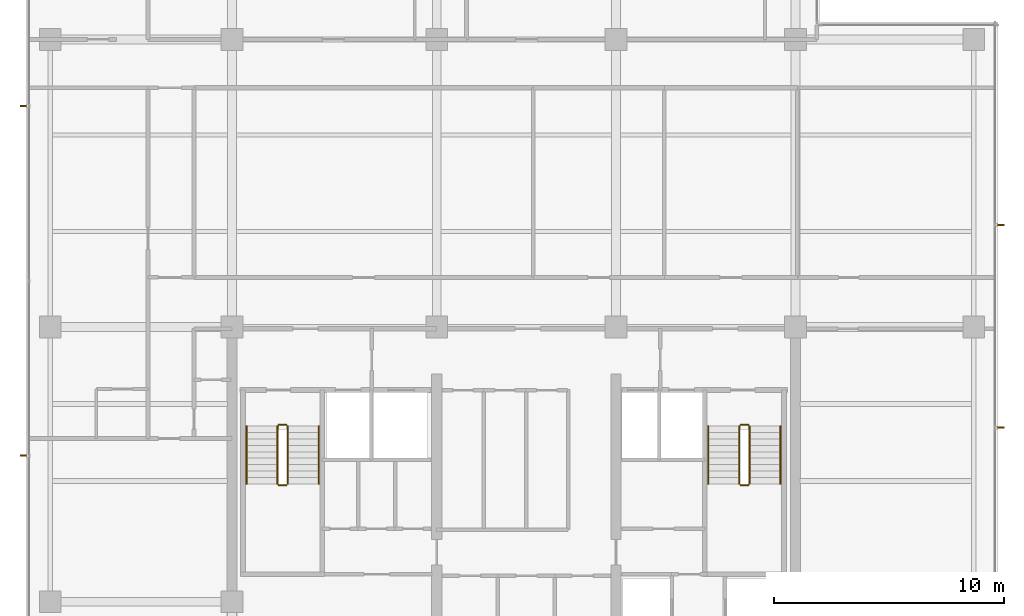
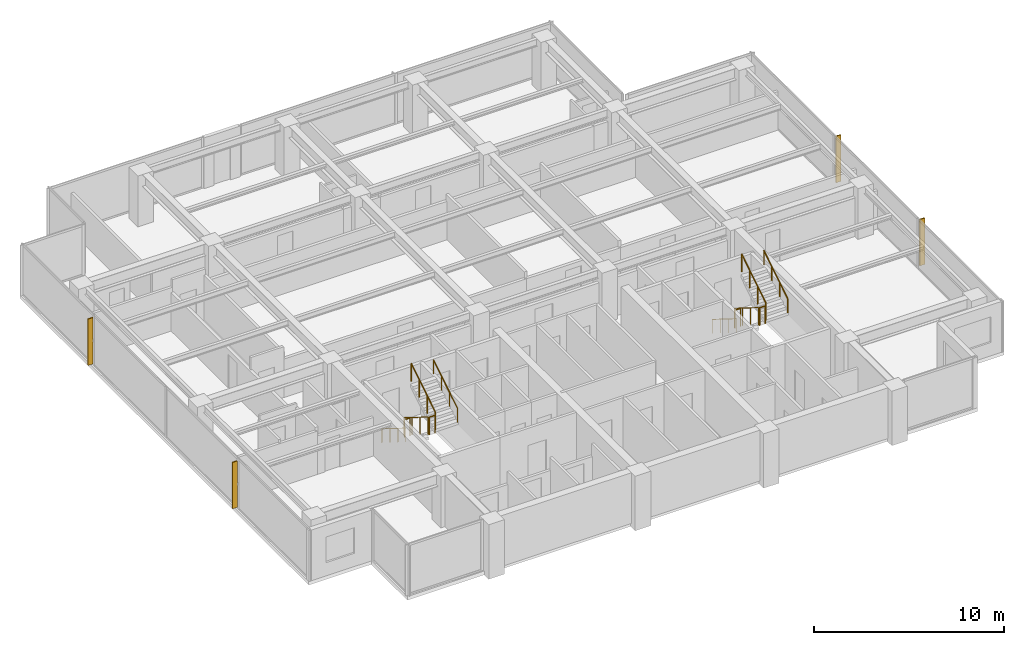
# One storey, part 13 of 14: 12 railings, 4 shading devices.
"""IFC4 building model written with IfcOpenShell, lengths in metres."""

from ifc_helpers import new_model, si_unit, direction, frame, origin, origin_2d, place, context, subcontext, project, spatial, polyline, circle, outline, extrude, material, layer, layer_set, type_object, element, save


model = new_model("IFC4")

# Units and contexts
model_context = context("Model", 3, precision=1e-05, world=origin(), true_north=direction((0.0, 1.0)))
body_context = subcontext(model_context, "Body", "Model", "MODEL_VIEW")
ifc_project = project(units=[si_unit("LENGTHUNIT", "METRE"), si_unit("AREAUNIT", "SQUARE_METRE"), si_unit("VOLUMEUNIT", "CUBIC_METRE"), si_unit("PLANEANGLEUNIT", "RADIAN"), si_unit("MASSUNIT", "GRAM", prefix="KILO")], contexts=[model_context])

# Site, building, storey
site_placement = place(None, origin())
site = spatial("IfcSite", under=ifc_project, at=site_placement, CompositionType="ELEMENT")
building_placement = place(site_placement, origin())
building = spatial("IfcBuilding", under=site, at=building_placement, Name="Qalmaran Belvedere Hotel", CompositionType="ELEMENT")
storey_placement = place(building_placement, frame((0.0, 0.0, 224.89990234375)))
storey = spatial("IfcBuildingStorey", under=building, at=storey_placement, Name="L57", CompositionType="ELEMENT", Elevation=224.89990234375)

# Shading devices
ifc_material_1 = material(Name="Anodised Bronze Aluminium", Category="aluminium")
ifc_layer = layer(ifc_material_1, 0.06494140625, Name="Anodised Bronze Aluminium")
ifc_layer_set = layer_set([ifc_layer], Name="Anodised Bronze Aluminium")
shading_device_type = type_object("IfcShadingDeviceType", Name="FIN-BRNZ-300", PredefinedType="USERDEFINED", material=ifc_layer_set)
shading_device_1_placement = place(storey_placement, frame((0.0, 0.0, 0.16015625)))
element("IfcShadingDevice", 1, at=shading_device_1_placement, inside=storey, type_object=shading_device_type, Name="L57 Bronze Fin 1", ObjectType="FIN", PredefinedType="USERDEFINED", context=body_context, shape_type="SweptSolid", body=[
    extrude(outline(polyline([(53.5673828125, 16.084228515625), (53.867431640625, 16.084228515625), (53.867431640625, 16.149169921875), (53.5673828125, 16.149169921875), (53.5673828125, 16.084228515625)])), origin(), (0.0, 0.0, 1.0), 2.97998046875),
])
shading_device_2_placement = place(storey_placement, frame((0.0, 0.0, 0.16015625)))
element("IfcShadingDevice", 2, at=shading_device_2_placement, inside=storey, type_object=shading_device_type, Name="L57 Bronze Fin 2", ObjectType="FIN", PredefinedType="USERDEFINED", context=body_context, shape_type="SweptSolid", body=[
    extrude(outline(polyline([(53.5673828125, 24.90087890625), (53.867431640625, 24.90087890625), (53.867431640625, 24.9658203125), (53.5673828125, 24.9658203125), (53.5673828125, 24.90087890625)])), origin(), (0.0, 0.0, 1.0), 2.97998046875),
])
shading_device_3_placement = place(storey_placement, frame((0.0, 0.0, 0.16015625)))
element("IfcShadingDevice", 3, at=shading_device_3_placement, inside=storey, type_object=shading_device_type, Name="L57 Bronze Fin 1", ObjectType="FIN", PredefinedType="USERDEFINED", context=body_context, shape_type="SweptSolid", body=[
    extrude(outline(polyline([(11.382568359375, 30.132568359375), (11.08251953125, 30.132568359375), (11.08251953125, 30.0673828125), (11.382568359375, 30.0673828125), (11.382568359375, 30.132568359375)])), origin(), (0.0, 0.0, 1.0), 2.97998046875),
])
shading_device_4_placement = place(storey_placement, frame((0.0, 0.0, 0.16015625)))
element("IfcShadingDevice", 4, at=shading_device_4_placement, inside=storey, type_object=shading_device_type, Name="L57 Bronze Fin 3", ObjectType="FIN", PredefinedType="USERDEFINED", context=body_context, shape_type="SweptSolid", body=[
    extrude(outline(polyline([(11.382568359375, 14.9326171875), (11.08251953125, 14.9326171875), (11.08251953125, 14.867431640625), (11.382568359375, 14.867431640625), (11.382568359375, 14.9326171875)])), origin(), (0.0, 0.0, 1.0), 2.97998046875),
])

# Railings
ifc_material_2 = material(Name="Stainless Steel 1.4401", Category="steel")
railing_type_1 = type_object("IfcRailingType", Name="RLG-STAIR-GUARD-1150", PredefinedType="GUARDRAIL", material=ifc_material_2)
railing_1_placement = place(storey_placement, frame((22.280029296875, 16.18994140625, 0.175048828125)))
element("IfcRailing", 5, at=railing_1_placement, inside=storey, type_object=railing_type_1, Name="L57 ST-1 stair guard 1", PredefinedType="GUARDRAIL", context=body_context, shape_type="SweptSolid", body=[
    extrude(circle(Radius=0.02392578125, at=origin_2d()), frame((0.0, 0.0, 1.1259765625), z_axis=(0.0, -0.848007534815, 0.529984170421), x_axis=(1.0, 0.0, 0.0)), (0.0, 0.0, 1.0), 2.9716796875),
    extrude(circle(Radius=0.02099609375, at=origin_2d()), origin(), (0.0, 0.0, 1.0), 1.101806640625),
    extrude(circle(Radius=0.02099609375, at=origin_2d()), frame((0.0, -0.840087890625, 0.52490234375)), (0.0, 0.0, 1.0), 1.101806640625),
    extrude(circle(Radius=0.02099609375, at=origin_2d()), frame((0.0, -1.679931640625, 1.050048828125)), (0.0, 0.0, 1.0), 1.101806640625),
    extrude(circle(Radius=0.02099609375, at=origin_2d()), frame((0.0, -2.52001953125, 1.574951171875)), (0.0, 0.0, 1.0), 1.101806640625),
])
railing_2_placement = place(storey_placement, frame((22.330078125, 13.6201171875, 1.75)))
element("IfcRailing", 6, at=railing_2_placement, inside=storey, type_object=railing_type_1, Name="L57 ST-1 stair guard 2", PredefinedType="GUARDRAIL", context=body_context, shape_type="SweptSolid", body=[
    extrude(circle(Radius=0.02392578125, at=origin_2d()), frame((0.0, 0.0, 1.1259765625), z_axis=(1.0, 0.0, 0.0), x_axis=(0.0, 1.0, 0.0)), (0.0, 0.0, 1.0), 0.33984375),
    extrude(circle(Radius=0.02099609375, at=origin_2d()), origin(), (0.0, 0.0, 1.0), 1.101806640625),
    extrude(circle(Radius=0.02099609375, at=origin_2d()), frame((0.33984375, 0.0, 0.0)), (0.0, 0.0, 1.0), 1.101806640625),
])
railing_3_placement = place(storey_placement, frame((22.719970703125, 13.669921875, 1.925048828125)))
element("IfcRailing", 7, at=railing_3_placement, inside=storey, type_object=railing_type_1, Name="L57 ST-1 stair guard 3", PredefinedType="GUARDRAIL", context=body_context, shape_type="SweptSolid", body=[
    extrude(circle(Radius=0.02392578125, at=origin_2d()), frame((0.0, 0.0, 1.1259765625), z_axis=(0.0, 0.848007534815, 0.529984170421), x_axis=(-1.0, 0.0, 0.0)), (0.0, 0.0, 1.0), 2.9716796875),
    extrude(circle(Radius=0.02099609375, at=origin_2d()), origin(), (0.0, 0.0, 1.0), 1.101806640625),
    extrude(circle(Radius=0.02099609375, at=origin_2d()), frame((0.0, 0.840087890625, 0.52490234375)), (0.0, 0.0, 1.0), 1.101806640625),
    extrude(circle(Radius=0.02099609375, at=origin_2d()), frame((0.0, 1.679931640625, 1.050048828125)), (0.0, 0.0, 1.0), 1.101806640625),
    extrude(circle(Radius=0.02099609375, at=origin_2d()), frame((0.0, 2.52001953125, 1.574951171875)), (0.0, 0.0, 1.0), 1.101806640625),
])
railing_4_placement = place(storey_placement, frame((22.330078125, 16.239990234375, 0.0)))
element("IfcRailing", 8, at=railing_4_placement, inside=storey, type_object=railing_type_1, Name="L57 ST-1 stair guard 4", PredefinedType="GUARDRAIL", context=body_context, shape_type="SweptSolid", body=[
    extrude(circle(Radius=0.02392578125, at=origin_2d()), frame((0.0, 0.0, 1.1259765625), z_axis=(1.0, 0.0, 0.0), x_axis=(0.0, 1.0, 0.0)), (0.0, 0.0, 1.0), 0.33984375),
    extrude(circle(Radius=0.02099609375, at=origin_2d()), origin(), (0.0, 0.0, 1.0), 1.101806640625),
    extrude(circle(Radius=0.02099609375, at=origin_2d()), frame((0.33984375, 0.0, 0.0)), (0.0, 0.0, 1.0), 1.101806640625),
])
railing_5_placement = place(storey_placement, frame((42.360107421875, 16.18994140625, 0.175048828125)))
element("IfcRailing", 9, at=railing_5_placement, inside=storey, type_object=railing_type_1, Name="L57 ST-2 stair guard 1", PredefinedType="GUARDRAIL", context=body_context, shape_type="SweptSolid", body=[
    extrude(circle(Radius=0.02392578125, at=origin_2d()), frame((0.0, 0.0, 1.1259765625), z_axis=(0.0, -0.848007534815, 0.529984170421), x_axis=(1.0, 0.0, 0.0)), (0.0, 0.0, 1.0), 2.9716796875),
    extrude(circle(Radius=0.02099609375, at=origin_2d()), origin(), (0.0, 0.0, 1.0), 1.101806640625),
    extrude(circle(Radius=0.02099609375, at=origin_2d()), frame((0.0, -0.840087890625, 0.52490234375)), (0.0, 0.0, 1.0), 1.101806640625),
    extrude(circle(Radius=0.02099609375, at=origin_2d()), frame((0.0, -1.679931640625, 1.050048828125)), (0.0, 0.0, 1.0), 1.101806640625),
    extrude(circle(Radius=0.02099609375, at=origin_2d()), frame((0.0, -2.52001953125, 1.574951171875)), (0.0, 0.0, 1.0), 1.101806640625),
])
railing_6_placement = place(storey_placement, frame((42.409912109375, 13.6201171875, 1.75)))
element("IfcRailing", 10, at=railing_6_placement, inside=storey, type_object=railing_type_1, Name="L57 ST-2 stair guard 2", PredefinedType="GUARDRAIL", context=body_context, shape_type="SweptSolid", body=[
    extrude(circle(Radius=0.02392578125, at=origin_2d()), frame((0.0, 0.0, 1.1259765625), z_axis=(1.0, 0.0, 0.0), x_axis=(0.0, 1.0, 0.0)), (0.0, 0.0, 1.0), 0.340087890625),
    extrude(circle(Radius=0.02099609375, at=origin_2d()), origin(), (0.0, 0.0, 1.0), 1.101806640625),
    extrude(circle(Radius=0.02099609375, at=origin_2d()), frame((0.340087890625, 0.0, 0.0)), (0.0, 0.0, 1.0), 1.101806640625),
])
railing_7_placement = place(storey_placement, frame((42.800048828125, 13.669921875, 1.925048828125)))
element("IfcRailing", 11, at=railing_7_placement, inside=storey, type_object=railing_type_1, Name="L57 ST-2 stair guard 3", PredefinedType="GUARDRAIL", context=body_context, shape_type="SweptSolid", body=[
    extrude(circle(Radius=0.02392578125, at=origin_2d()), frame((0.0, 0.0, 1.1259765625), z_axis=(0.0, 0.848007534815, 0.529984170421), x_axis=(-1.0, 0.0, 0.0)), (0.0, 0.0, 1.0), 2.9716796875),
    extrude(circle(Radius=0.02099609375, at=origin_2d()), origin(), (0.0, 0.0, 1.0), 1.101806640625),
    extrude(circle(Radius=0.02099609375, at=origin_2d()), frame((0.0, 0.840087890625, 0.52490234375)), (0.0, 0.0, 1.0), 1.101806640625),
    extrude(circle(Radius=0.02099609375, at=origin_2d()), frame((0.0, 1.679931640625, 1.050048828125)), (0.0, 0.0, 1.0), 1.101806640625),
    extrude(circle(Radius=0.02099609375, at=origin_2d()), frame((0.0, 2.52001953125, 1.574951171875)), (0.0, 0.0, 1.0), 1.101806640625),
])
railing_8_placement = place(storey_placement, frame((42.409912109375, 16.239990234375, 0.0)))
element("IfcRailing", 12, at=railing_8_placement, inside=storey, type_object=railing_type_1, Name="L57 ST-2 stair guard 4", PredefinedType="GUARDRAIL", context=body_context, shape_type="SweptSolid", body=[
    extrude(circle(Radius=0.02392578125, at=origin_2d()), frame((0.0, 0.0, 1.1259765625), z_axis=(1.0, 0.0, 0.0), x_axis=(0.0, 1.0, 0.0)), (0.0, 0.0, 1.0), 0.340087890625),
    extrude(circle(Radius=0.02099609375, at=origin_2d()), origin(), (0.0, 0.0, 1.0), 1.101806640625),
    extrude(circle(Radius=0.02099609375, at=origin_2d()), frame((0.340087890625, 0.0, 0.0)), (0.0, 0.0, 1.0), 1.101806640625),
])
railing_type_2 = type_object("IfcRailingType", Name="RLG-STAIR-HAND-910", PredefinedType="HANDRAIL", material=ifc_material_2)
railing_9_placement = place(storey_placement, frame((20.929931640625, 16.18994140625, 0.175048828125)))
element("IfcRailing", 13, at=railing_9_placement, inside=storey, type_object=railing_type_2, Name="L57 ST-1 stair handrail 1", PredefinedType="HANDRAIL", context=body_context, shape_type="SweptSolid", body=[
    extrude(circle(Radius=0.02392578125, at=origin_2d()), frame((0.0, 0.0, 0.8857421875), z_axis=(0.0, -0.848007534815, 0.529984170421), x_axis=(1.0, 0.0, 0.0)), (0.0, 0.0, 1.0), 2.9716796875),
    extrude(circle(Radius=0.02099609375, at=origin_2d()), origin(), (0.0, 0.0, 1.0), 0.86181640625),
    extrude(circle(Radius=0.02099609375, at=origin_2d()), frame((0.0, -0.840087890625, 0.52490234375)), (0.0, 0.0, 1.0), 0.86181640625),
    extrude(circle(Radius=0.02099609375, at=origin_2d()), frame((0.0, -1.679931640625, 1.050048828125)), (0.0, 0.0, 1.0), 0.86181640625),
    extrude(circle(Radius=0.02099609375, at=origin_2d()), frame((0.0, -2.52001953125, 1.574951171875)), (0.0, 0.0, 1.0), 0.86181640625),
])
railing_10_placement = place(storey_placement, frame((24.070068359375, 13.669921875, 1.925048828125)))
element("IfcRailing", 14, at=railing_10_placement, inside=storey, type_object=railing_type_2, Name="L57 ST-1 stair handrail 2", PredefinedType="HANDRAIL", context=body_context, shape_type="SweptSolid", body=[
    extrude(circle(Radius=0.02392578125, at=origin_2d()), frame((0.0, 0.0, 0.8857421875), z_axis=(0.0, 0.848007534815, 0.529984170421), x_axis=(-1.0, 0.0, 0.0)), (0.0, 0.0, 1.0), 2.9716796875),
    extrude(circle(Radius=0.02099609375, at=origin_2d()), origin(), (0.0, 0.0, 1.0), 0.86181640625),
    extrude(circle(Radius=0.02099609375, at=origin_2d()), frame((0.0, 0.840087890625, 0.52490234375)), (0.0, 0.0, 1.0), 0.86181640625),
    extrude(circle(Radius=0.02099609375, at=origin_2d()), frame((0.0, 1.679931640625, 1.050048828125)), (0.0, 0.0, 1.0), 0.86181640625),
    extrude(circle(Radius=0.02099609375, at=origin_2d()), frame((0.0, 2.52001953125, 1.574951171875)), (0.0, 0.0, 1.0), 0.86181640625),
])
railing_11_placement = place(storey_placement, frame((41.010009765625, 16.18994140625, 0.175048828125)))
element("IfcRailing", 15, at=railing_11_placement, inside=storey, type_object=railing_type_2, Name="L57 ST-2 stair handrail 1", PredefinedType="HANDRAIL", context=body_context, shape_type="SweptSolid", body=[
    extrude(circle(Radius=0.02392578125, at=origin_2d()), frame((0.0, 0.0, 0.8857421875), z_axis=(0.0, -0.848007534815, 0.529984170421), x_axis=(1.0, 0.0, 0.0)), (0.0, 0.0, 1.0), 2.9716796875),
    extrude(circle(Radius=0.02099609375, at=origin_2d()), origin(), (0.0, 0.0, 1.0), 0.86181640625),
    extrude(circle(Radius=0.02099609375, at=origin_2d()), frame((0.0, -0.840087890625, 0.52490234375)), (0.0, 0.0, 1.0), 0.86181640625),
    extrude(circle(Radius=0.02099609375, at=origin_2d()), frame((0.0, -1.679931640625, 1.050048828125)), (0.0, 0.0, 1.0), 0.86181640625),
    extrude(circle(Radius=0.02099609375, at=origin_2d()), frame((0.0, -2.52001953125, 1.574951171875)), (0.0, 0.0, 1.0), 0.86181640625),
])
railing_12_placement = place(storey_placement, frame((44.14990234375, 13.669921875, 1.925048828125)))
element("IfcRailing", 16, at=railing_12_placement, inside=storey, type_object=railing_type_2, Name="L57 ST-2 stair handrail 2", PredefinedType="HANDRAIL", context=body_context, shape_type="SweptSolid", body=[
    extrude(circle(Radius=0.02392578125, at=origin_2d()), frame((0.0, 0.0, 0.8857421875), z_axis=(0.0, 0.848007534815, 0.529984170421), x_axis=(-1.0, 0.0, 0.0)), (0.0, 0.0, 1.0), 2.9716796875),
    extrude(circle(Radius=0.02099609375, at=origin_2d()), origin(), (0.0, 0.0, 1.0), 0.86181640625),
    extrude(circle(Radius=0.02099609375, at=origin_2d()), frame((0.0, 0.840087890625, 0.52490234375)), (0.0, 0.0, 1.0), 0.86181640625),
    extrude(circle(Radius=0.02099609375, at=origin_2d()), frame((0.0, 1.679931640625, 1.050048828125)), (0.0, 0.0, 1.0), 0.86181640625),
    extrude(circle(Radius=0.02099609375, at=origin_2d()), frame((0.0, 2.52001953125, 1.574951171875)), (0.0, 0.0, 1.0), 0.86181640625),
])

save(model, "model.ifc")
